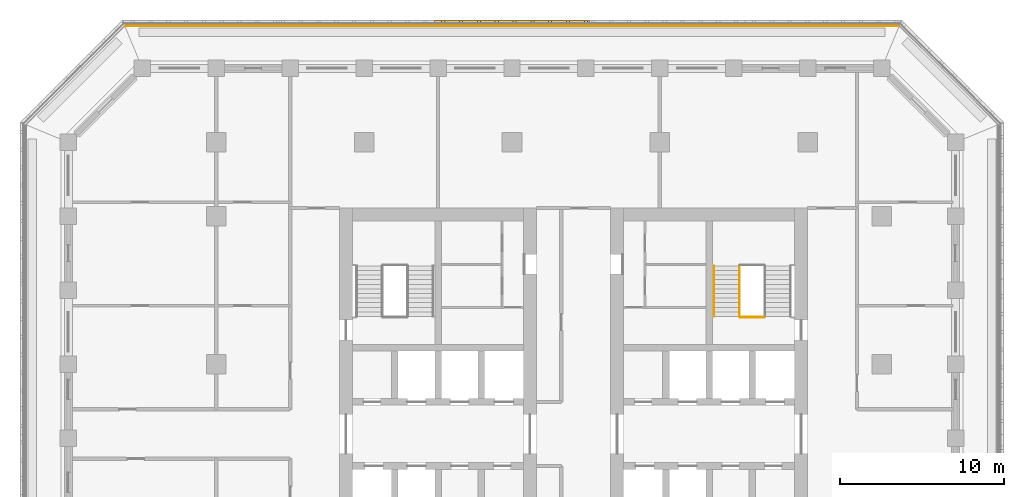
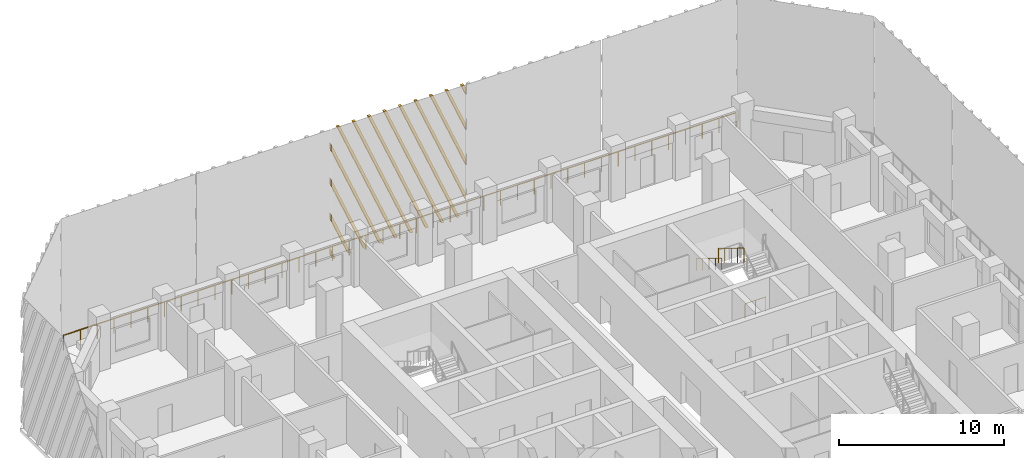
# One storey, part 16 of 18: 4 railings, 1 shading device.
"""IFC4 building model written with IfcOpenShell, lengths in metres."""

import ifcopenshell
import ifcopenshell.guid

model = None  # the IFC model being written
_history = None  # IfcOwnerHistory: only IFC2X3 demands one
_inside = {}  # id of a spatial element -> (the spatial element, [elements in it])
_under = {}  # id of a project, library or spatial element -> (it, [spatial elements below it])
_declared = {}  # id of a project -> (the project, [libraries it declares])
_typed = {}  # id of a type object -> (the type object, [elements of that type])
_made_of = {}  # id of a material, layer set ... -> (it, [elements and type objects made of it])


def new_model(schema):
    """Start an empty IFC model of exactly this schema.

    Asked for "IFC4X3", IfcOpenShell would pick the latest addendum, in which some entities
    have other attributes; the version numbers below select the first issue.
    IFC2X3 requires an IfcOwnerHistory on every rooted entity: one is made here for all.
    """
    global model, _history
    if schema == "IFC4X3":
        model = ifcopenshell.file(schema_version=(4, 3, 0, 0))
    else:
        model = ifcopenshell.file(schema=schema)
    _inside.clear()
    _under.clear()
    _declared.clear()
    _typed.clear()
    _made_of.clear()
    _history = None
    if model.schema == "IFC2X3":
        org = make("IfcOrganization", Name="unknown")
        user = make(
            "IfcPersonAndOrganization",
            ThePerson=make("IfcPerson", FamilyName="unknown"),
            TheOrganization=org,
        )
        app = make(
            "IfcApplication",
            ApplicationDeveloper=org,
            Version="unknown",
            ApplicationFullName="unknown",
            ApplicationIdentifier="unknown",
        )
        _history = make(
            "IfcOwnerHistory",
            OwningUser=user,
            OwningApplication=app,
            ChangeAction="ADDED",
            CreationDate=0,
        )
    return model


def make(cls, **values):
    """One entity of the class cls with the attributes given. An attribute that is None is left unset."""
    return model.create_entity(
        cls, **{name: value for name, value in values.items() if value is not None}
    )


def rooted(cls, **values):
    """An entity with a GlobalId (a new one), such as an element, a storey or a relation."""
    return make(cls, GlobalId=ifcopenshell.guid.new(), OwnerHistory=_history, **values)


def si_unit(unit_type, name, prefix=None):
    """IfcSIUnit, for example si_unit("LENGTHUNIT", "METRE", prefix="MILLI")."""
    return make("IfcSIUnit", UnitType=unit_type, Prefix=prefix, Name=name)


def assignment(units):
    """IfcUnitAssignment: the units of a project."""
    return None if units is None else make("IfcUnitAssignment", Units=units)


def point(xyz):
    """IfcCartesianPoint."""
    return None if xyz is None else make("IfcCartesianPoint", Coordinates=xyz)


def direction(xyz):
    """IfcDirection."""
    return None if xyz is None else make("IfcDirection", DirectionRatios=xyz)


def frame(location, z_axis=None, x_axis=None):
    """IfcAxis2Placement3D, a coordinate frame: its origin and axes. An axis left out is left unset."""
    return make(
        "IfcAxis2Placement3D",
        Location=point(location),
        Axis=direction(z_axis),
        RefDirection=direction(x_axis),
    )


def frame_2d(location, x_axis=None):
    """IfcAxis2Placement2D, a coordinate frame in the plane: its origin and x axis."""
    return make(
        "IfcAxis2Placement2D", Location=point(location), RefDirection=direction(x_axis)
    )


def origin():
    """The frame at (0, 0, 0) with its axes left unset."""
    return frame((0.0, 0.0, 0.0))


def origin_2d():
    """The frame at (0, 0) in the plane with its x axis left unset."""
    return frame_2d((0.0, 0.0))


def place(relative_to, where):
    """IfcLocalPlacement: puts the frame where relative to a parent placement (None: the world)."""
    return make(
        "IfcLocalPlacement", PlacementRelTo=relative_to, RelativePlacement=where
    )


def context(
    kind, dimensions, precision=None, world=None, true_north=None, identifier=None
):
    """IfcGeometricRepresentationContext, for example the 3D "Model" context."""
    return make(
        "IfcGeometricRepresentationContext",
        ContextIdentifier=identifier,
        ContextType=kind,
        CoordinateSpaceDimension=dimensions,
        Precision=precision,
        WorldCoordinateSystem=world,
        TrueNorth=true_north,
    )


def subcontext(parent, identifier, kind, view, scale=None):
    """IfcGeometricRepresentationSubContext, for example "Body" below "Model"."""
    return make(
        "IfcGeometricRepresentationSubContext",
        ContextIdentifier=identifier,
        ContextType=kind,
        ParentContext=parent,
        TargetScale=scale,
        TargetView=view,
    )


def project(units=None, contexts=None):
    """IfcProject with its units and contexts."""
    return rooted(
        "IfcProject",
        Name="project",
        RepresentationContexts=contexts,
        UnitsInContext=assignment(units),
    )


def spatial(cls, under=None, at=None, **own):
    """A site, building, storey or space (cls), placed at a placement, below another one or the project."""
    s = rooted(cls, ObjectPlacement=at, **own)
    if under is not None:
        _under.setdefault(under.id(), (under, []))[1].append(s)
    return s


def polyline(points):
    """IfcPolyline through the points."""
    return make("IfcPolyline", Points=[point(p) for p in points])


def profile(cls, at=None, kind="AREA", **sizes):
    """A parametric profile (cls). Its sizes go by their IFC names, for example OverallWidth=200.0."""
    return make(cls, ProfileType=kind, Position=at, **sizes)


def circle(**sizes):
    """IfcCircleProfileDef."""
    return profile("IfcCircleProfileDef", **sizes)


def outline(outer, holes=None, kind="AREA"):
    """IfcArbitraryClosedProfileDef: a profile drawn as a closed curve; with holes, ...WithVoids."""
    if holes is None:
        return make("IfcArbitraryClosedProfileDef", ProfileType=kind, OuterCurve=outer)
    return make(
        "IfcArbitraryProfileDefWithVoids",
        ProfileType=kind,
        OuterCurve=outer,
        InnerCurves=holes,
    )


def extrude(swept, where, along, depth):
    """IfcExtrudedAreaSolid: the profile swept, set in the frame where, extruded along a direction by depth."""
    return make(
        "IfcExtrudedAreaSolid",
        SweptArea=swept,
        Position=where,
        ExtrudedDirection=direction(along),
        Depth=depth,
    )


def shape(context_of_items, identifier, shape_type, items):
    """IfcShapeRepresentation: the items that make up one representation, for example the "Body"."""
    return make(
        "IfcShapeRepresentation",
        ContextOfItems=context_of_items,
        RepresentationIdentifier=identifier,
        RepresentationType=shape_type,
        Items=items,
    )


def source(mapping_origin, context_of_items, identifier, shape_type, items):
    """IfcRepresentationMap: a shape defined once, which mapped items show again and again."""
    return make(
        "IfcRepresentationMap",
        MappingOrigin=mapping_origin,
        MappedRepresentation=shape(context_of_items, identifier, shape_type, items),
    )


def transform(
    local_origin,
    x_axis=None,
    y_axis=None,
    z_axis=None,
    scale=None,
    scale2=None,
    scale3=None,
    uniform=True,
):
    """IfcCartesianTransformationOperator3D, or its non-uniform kind. x_axis, y_axis, z_axis: its Axis1, 2, 3."""
    if uniform:
        return make(
            "IfcCartesianTransformationOperator3D",
            Axis1=direction(x_axis),
            Axis2=direction(y_axis),
            LocalOrigin=point(local_origin),
            Scale=scale,
            Axis3=direction(z_axis),
        )
    return make(
        "IfcCartesianTransformationOperator3DnonUniform",
        Axis1=direction(x_axis),
        Axis2=direction(y_axis),
        LocalOrigin=point(local_origin),
        Scale=scale,
        Axis3=direction(z_axis),
        Scale2=scale2,
        Scale3=scale3,
    )


def mapped(mapping_source, mapping_target):
    """IfcMappedItem: shows the shape of a source again, moved by a transform."""
    return make(
        "IfcMappedItem", MappingSource=mapping_source, MappingTarget=mapping_target
    )


def material(Name=None, Category=None):
    """IfcMaterial."""
    return make("IfcMaterial", Name=Name, Category=Category)


def made_of(thing, what):
    """Note that an element or type object is made of a material, layer set ...; save() writes the relation."""
    if what is not None:
        _made_of.setdefault(what.id(), (what, []))[1].append(thing)
    return thing


def type_object(cls, material=None, **own):
    """A type object (cls), such as IfcWallType, which elements share."""
    return made_of(rooted(cls, **own), material)


def element(
    cls,
    number,
    at=None,
    inside=None,
    cuts=None,
    type_object=None,
    material=None,
    context=None,
    identifier="Body",
    shape_type=None,
    held_by="IfcProductDefinitionShape",
    body=None,
    shapes=None,
    **own,
):
    """One element of the class cls, such as IfcWall. Its Tag is "e" and its number.

    at: its placement. inside: the storey or other place that contains it. cuts: it is an
    opening in that element (IfcRelVoidsElement). A single representation is given by context,
    identifier, shape_type and body (its items); several are given by shapes. held_by: the class
    of the entity that holds the representations. save() writes the other relations.
    """
    e = rooted(cls, Tag="e%d" % number, ObjectPlacement=at, **own)
    if body is not None:
        shapes = [shape(context, identifier, shape_type, body)]
    if shapes is not None:
        e.Representation = make(held_by, Representations=shapes)
    if inside is not None:
        _inside.setdefault(inside.id(), (inside, []))[1].append(e)
    if cuts is not None:
        rooted(
            "IfcRelVoidsElement", RelatingBuildingElement=cuts, RelatedOpeningElement=e
        )
    if type_object is not None:
        _typed.setdefault(type_object.id(), (type_object, []))[1].append(e)
    return made_of(e, material)


def aggregate(whole, parts):
    """IfcRelAggregates: a whole, such as a stair, and the parts it consists of."""
    return rooted("IfcRelAggregates", RelatingObject=whole, RelatedObjects=parts)


def save(model, path):
    """Write the relations noted so far, then the file.

    IfcRelAggregates (storeys below a building ...), IfcRelContainedInSpatialStructure (elements
    in a storey), IfcRelDefinesByType, IfcRelAssociatesMaterial and IfcRelDeclares: one each for
    every whole, place, type object, material and project.
    """
    for whole, parts in _under.values():
        aggregate(whole, parts)
    for where, things in _inside.values():
        rooted(
            "IfcRelContainedInSpatialStructure",
            RelatedElements=things,
            RelatingStructure=where,
        )
    for kind, things in _typed.values():
        rooted("IfcRelDefinesByType", RelatedObjects=things, RelatingType=kind)
    for what, things in _made_of.values():
        rooted("IfcRelAssociatesMaterial", RelatedObjects=things, RelatingMaterial=what)
    for by, libraries in _declared.values():
        rooted("IfcRelDeclares", RelatingContext=by, RelatedDefinitions=libraries)
    model.write(path)


model = new_model("IFC4")

# Units and contexts
model_context = context("Model", 3, precision=1e-05, world=origin(), true_north=direction((0.0, 1.0)))
body_context = subcontext(model_context, "Body", "Model", "MODEL_VIEW")
ifc_project = project(units=[si_unit("LENGTHUNIT", "METRE"), si_unit("AREAUNIT", "SQUARE_METRE"), si_unit("VOLUMEUNIT", "CUBIC_METRE"), si_unit("PLANEANGLEUNIT", "RADIAN"), si_unit("MASSUNIT", "GRAM", prefix="KILO")], contexts=[model_context])

# Site, building, storey
site_placement = place(None, origin())
site = spatial("IfcSite", under=ifc_project, at=site_placement, CompositionType="ELEMENT")
building_placement = place(site_placement, origin())
building = spatial("IfcBuilding", under=site, at=building_placement, Name="Corbel Stack Research Tower", CompositionType="ELEMENT")
storey_placement = place(building_placement, frame((0.0, 0.0, 181.39990234375)))
storey = spatial("IfcBuildingStorey", under=building, at=storey_placement, Name="L41", CompositionType="ELEMENT", Elevation=181.39990234375)

# Railings
ifc_material_1 = material(Name="Steel S355", Category="steel")
railing_type_1 = type_object("IfcRailingType", Name="Stair guard 1100", PredefinedType="GUARDRAIL", material=ifc_material_1)
railing_1_placement = place(storey_placement, frame((13.85009765625, 14.97998046875, 2.220947265625)))
element("IfcRailing", 1, at=railing_1_placement, inside=storey, type_object=railing_type_1, Name="L41 ST-E2 stair guard 4", PredefinedType="GUARDRAIL", context=body_context, shape_type="SweptSolid", body=[
    extrude(circle(Radius=0.02392578125, at=origin_2d()), frame((0.0, 0.0, 1.076171875), z_axis=(0.0, -0.853666305674, 0.52082035152), x_axis=(1.0, 0.0, 0.0)), (0.0, 0.0, 1.0), 3.608154296875),
    extrude(circle(Radius=0.02099609375, at=origin_2d()), origin(), (0.0, 0.0, 1.0), 1.052001953125),
    extrude(circle(Radius=0.02099609375, at=origin_2d()), frame((0.0, -0.77001953125, 0.4697265625)), (0.0, 0.0, 1.0), 1.052001953125),
    extrude(circle(Radius=0.02099609375, at=origin_2d()), frame((0.0, -1.5400390625, 0.939453125)), (0.0, 0.0, 1.0), 1.052001953125),
    extrude(circle(Radius=0.02099609375, at=origin_2d()), frame((0.0, -2.31005859375, 1.409423828125)), (0.0, 0.0, 1.0), 1.052001953125),
    extrude(circle(Radius=0.02099609375, at=origin_2d()), frame((0.0, -3.080078125, 1.879150390625)), (0.0, 0.0, 1.0), 1.052001953125),
])
railing_2_placement = place(storey_placement, frame((15.35009765625, 11.85009765625, 0.0)))
element("IfcRailing", 2, at=railing_2_placement, inside=storey, type_object=railing_type_1, Name="L41 ST-E2 stair guard 5", PredefinedType="GUARDRAIL", context=body_context, shape_type="SweptSolid", body=[
    extrude(circle(Radius=0.02392578125, at=origin_2d()), frame((0.0, 0.0, 1.076171875), z_axis=(-1.0, 0.0, 0.0), x_axis=(0.0, -1.0, 0.0)), (0.0, 0.0, 1.0), 1.4501953125),
    extrude(circle(Radius=0.02099609375, at=origin_2d()), origin(), (0.0, 0.0, 1.0), 1.052001953125),
    extrude(circle(Radius=0.02099609375, at=origin_2d()), frame((-0.72509765625, 0.0, 0.0)), (0.0, 0.0, 1.0), 1.052001953125),
    extrude(circle(Radius=0.02099609375, at=origin_2d()), frame((-1.4501953125, 0.0, 0.0)), (0.0, 0.0, 1.0), 1.052001953125),
])
ifc_material_2 = material(Name="Steel S355", Category="steel")
railing_type_2 = type_object("IfcRailingType", Name="Stair handrail 900", PredefinedType="HANDRAIL", material=ifc_material_2)
railing_3_placement = place(storey_placement, frame((12.300048828125, 14.97998046875, 2.220947265625)))
element("IfcRailing", 3, at=railing_3_placement, inside=storey, type_object=railing_type_2, Name="L41 ST-E2 stair handrail 2", PredefinedType="HANDRAIL", context=body_context, shape_type="SweptSolid", body=[
    extrude(circle(Radius=0.02392578125, at=origin_2d()), frame((0.0, 0.0, 0.8759765625), z_axis=(0.0, -0.853666305674, 0.52082035152), x_axis=(1.0, 0.0, 0.0)), (0.0, 0.0, 1.0), 3.608154296875),
    extrude(circle(Radius=0.02099609375, at=origin_2d()), origin(), (0.0, 0.0, 1.0), 0.851806640625),
    extrude(circle(Radius=0.02099609375, at=origin_2d()), frame((0.0, -0.77001953125, 0.4697265625)), (0.0, 0.0, 1.0), 0.851806640625),
    extrude(circle(Radius=0.02099609375, at=origin_2d()), frame((0.0, -1.5400390625, 0.939453125)), (0.0, 0.0, 1.0), 0.851806640625),
    extrude(circle(Radius=0.02099609375, at=origin_2d()), frame((0.0, -2.31005859375, 1.409423828125)), (0.0, 0.0, 1.0), 0.851806640625),
    extrude(circle(Radius=0.02099609375, at=origin_2d()), frame((0.0, -3.080078125, 1.879150390625)), (0.0, 0.0, 1.0), 0.851806640625),
])
ifc_material_3 = material(Name="Powder-coated steel guard", Category="steel")
railing_type_3 = type_object("IfcRailingType", Name="Steel and glass guard 1100", PredefinedType="GUARDRAIL", material=ifc_material_3)
railing_4_placement = place(storey_placement, frame((23.50537109375, 29.60009765625, 0.0)))
element("IfcRailing", 4, at=railing_4_placement, inside=storey, type_object=railing_type_3, Name="Loggia guard L41 N", PredefinedType="GUARDRAIL", context=body_context, shape_type="SweptSolid", body=[
    extrude(circle(Radius=0.02392578125, at=origin_2d()), frame((0.0, 0.0, 1.076171875), z_axis=(-1.0, 0.0, 0.0), x_axis=(0.0, -1.0, 0.0)), (0.0, 0.0, 1.0), 47.0107421875),
    extrude(circle(Radius=0.02099609375, at=origin_2d()), origin(), (0.0, 0.0, 1.0), 1.052001953125),
    extrude(circle(Radius=0.02099609375, at=origin_2d()), frame((-1.17529296875, 0.0, 0.0)), (0.0, 0.0, 1.0), 1.052001953125),
    extrude(circle(Radius=0.02099609375, at=origin_2d()), frame((-2.3505859375, 0.0, 0.0)), (0.0, 0.0, 1.0), 1.052001953125),
    extrude(circle(Radius=0.02099609375, at=origin_2d()), frame((-3.52587890625, 0.0, 0.0)), (0.0, 0.0, 1.0), 1.052001953125),
    extrude(circle(Radius=0.02099609375, at=origin_2d()), frame((-4.701171875, 0.0, 0.0)), (0.0, 0.0, 1.0), 1.052001953125),
    extrude(circle(Radius=0.02099609375, at=origin_2d()), frame((-5.87646484375, 0.0, 0.0)), (0.0, 0.0, 1.0), 1.052001953125),
    extrude(circle(Radius=0.02099609375, at=origin_2d()), frame((-7.051513671875, 0.0, 0.0)), (0.0, 0.0, 1.0), 1.052001953125),
    extrude(circle(Radius=0.02099609375, at=origin_2d()), frame((-8.226806640625, 0.0, 0.0)), (0.0, 0.0, 1.0), 1.052001953125),
    extrude(circle(Radius=0.02099609375, at=origin_2d()), frame((-9.402099609375, 0.0, 0.0)), (0.0, 0.0, 1.0), 1.052001953125),
    extrude(circle(Radius=0.02099609375, at=origin_2d()), frame((-10.577392578125, 0.0, 0.0)), (0.0, 0.0, 1.0), 1.052001953125),
    extrude(circle(Radius=0.02099609375, at=origin_2d()), frame((-11.752685546875, 0.0, 0.0)), (0.0, 0.0, 1.0), 1.052001953125),
    extrude(circle(Radius=0.02099609375, at=origin_2d()), frame((-12.927978515625, 0.0, 0.0)), (0.0, 0.0, 1.0), 1.052001953125),
    extrude(circle(Radius=0.02099609375, at=origin_2d()), frame((-14.103271484375, 0.0, 0.0)), (0.0, 0.0, 1.0), 1.052001953125),
    extrude(circle(Radius=0.02099609375, at=origin_2d()), frame((-15.278564453125, 0.0, 0.0)), (0.0, 0.0, 1.0), 1.052001953125),
    extrude(circle(Radius=0.02099609375, at=origin_2d()), frame((-16.453857421875, 0.0, 0.0)), (0.0, 0.0, 1.0), 1.052001953125),
    extrude(circle(Radius=0.02099609375, at=origin_2d()), frame((-17.62890625, 0.0, 0.0)), (0.0, 0.0, 1.0), 1.052001953125),
    extrude(circle(Radius=0.02099609375, at=origin_2d()), frame((-18.80419921875, 0.0, 0.0)), (0.0, 0.0, 1.0), 1.052001953125),
    extrude(circle(Radius=0.02099609375, at=origin_2d()), frame((-19.9794921875, 0.0, 0.0)), (0.0, 0.0, 1.0), 1.052001953125),
    extrude(circle(Radius=0.02099609375, at=origin_2d()), frame((-21.15478515625, 0.0, 0.0)), (0.0, 0.0, 1.0), 1.052001953125),
    extrude(circle(Radius=0.02099609375, at=origin_2d()), frame((-22.330078125, 0.0, 0.0)), (0.0, 0.0, 1.0), 1.052001953125),
    extrude(circle(Radius=0.02099609375, at=origin_2d()), frame((-23.50537109375, 0.0, 0.0)), (0.0, 0.0, 1.0), 1.052001953125),
    extrude(circle(Radius=0.02099609375, at=origin_2d()), frame((-24.6806640625, 0.0, 0.0)), (0.0, 0.0, 1.0), 1.052001953125),
    extrude(circle(Radius=0.02099609375, at=origin_2d()), frame((-25.85595703125, 0.0, 0.0)), (0.0, 0.0, 1.0), 1.052001953125),
    extrude(circle(Radius=0.02099609375, at=origin_2d()), frame((-27.03125, 0.0, 0.0)), (0.0, 0.0, 1.0), 1.052001953125),
    extrude(circle(Radius=0.02099609375, at=origin_2d()), frame((-28.20654296875, 0.0, 0.0)), (0.0, 0.0, 1.0), 1.052001953125),
    extrude(circle(Radius=0.02099609375, at=origin_2d()), frame((-29.3818359375, 0.0, 0.0)), (0.0, 0.0, 1.0), 1.052001953125),
    extrude(circle(Radius=0.02099609375, at=origin_2d()), frame((-30.556884765625, 0.0, 0.0)), (0.0, 0.0, 1.0), 1.052001953125),
    extrude(circle(Radius=0.02099609375, at=origin_2d()), frame((-31.732177734375, 0.0, 0.0)), (0.0, 0.0, 1.0), 1.052001953125),
    extrude(circle(Radius=0.02099609375, at=origin_2d()), frame((-32.907470703125, 0.0, 0.0)), (0.0, 0.0, 1.0), 1.052001953125),
    extrude(circle(Radius=0.02099609375, at=origin_2d()), frame((-34.082763671875, 0.0, 0.0)), (0.0, 0.0, 1.0), 1.052001953125),
    extrude(circle(Radius=0.02099609375, at=origin_2d()), frame((-35.258056640625, 0.0, 0.0)), (0.0, 0.0, 1.0), 1.052001953125),
    extrude(circle(Radius=0.02099609375, at=origin_2d()), frame((-36.433349609375, 0.0, 0.0)), (0.0, 0.0, 1.0), 1.052001953125),
    extrude(circle(Radius=0.02099609375, at=origin_2d()), frame((-37.608642578125, 0.0, 0.0)), (0.0, 0.0, 1.0), 1.052001953125),
    extrude(circle(Radius=0.02099609375, at=origin_2d()), frame((-38.783935546875, 0.0, 0.0)), (0.0, 0.0, 1.0), 1.052001953125),
    extrude(circle(Radius=0.02099609375, at=origin_2d()), frame((-39.959228515625, 0.0, 0.0)), (0.0, 0.0, 1.0), 1.052001953125),
    extrude(circle(Radius=0.02099609375, at=origin_2d()), frame((-41.13427734375, 0.0, 0.0)), (0.0, 0.0, 1.0), 1.052001953125),
    extrude(circle(Radius=0.02099609375, at=origin_2d()), frame((-42.3095703125, 0.0, 0.0)), (0.0, 0.0, 1.0), 1.052001953125),
    extrude(circle(Radius=0.02099609375, at=origin_2d()), frame((-43.48486328125, 0.0, 0.0)), (0.0, 0.0, 1.0), 1.052001953125),
    extrude(circle(Radius=0.02099609375, at=origin_2d()), frame((-44.66015625, 0.0, 0.0)), (0.0, 0.0, 1.0), 1.052001953125),
    extrude(circle(Radius=0.02099609375, at=origin_2d()), frame((-45.83544921875, 0.0, 0.0)), (0.0, 0.0, 1.0), 1.052001953125),
    extrude(circle(Radius=0.02099609375, at=origin_2d()), frame((-47.0107421875, 0.0, 0.0)), (0.0, 0.0, 1.0), 1.052001953125),
])

# Shading device
ifc_material_4 = material(Name="Precast terracotta", Category="masonry")
shading_device_type = type_object("IfcShadingDeviceType", Name="Terracotta screen panel", PredefinedType="USERDEFINED", material=ifc_material_4)
shared_shape = source(origin(), body_context, "Body", "SweptSolid", [
    extrude(outline(polyline([(0.328857421875, 9.64990234375), (0.138916015625, 9.64990234375), (0.0, 9.317626953125), (0.0, 8.862548828125), (0.328857421875, 9.64990234375)])), frame((0.0, 0.0, 0.0), z_axis=(0.0, -1.0, 0.0), x_axis=(1.0, 0.0, 0.0)), (0.0, 0.0, 1.0), 0.179931640625),
    extrude(outline(polyline([(1.41357421875, 9.64990234375), (1.223388671875, 9.64990234375), (0.0, 6.720458984375), (0.0, 6.265380859375), (1.41357421875, 9.64990234375)])), frame((0.0, 0.0, 0.0), z_axis=(0.0, -1.0, 0.0), x_axis=(1.0, 0.0, 0.0)), (0.0, 0.0, 1.0), 0.179931640625),
    extrude(outline(polyline([(2.498291015625, 9.64990234375), (2.30810546875, 9.64990234375), (0.0, 4.123291015625), (0.0, 3.668212890625), (2.498291015625, 9.64990234375)])), frame((0.0, 0.0, 0.0), z_axis=(0.0, -1.0, 0.0), x_axis=(1.0, 0.0, 0.0)), (0.0, 0.0, 1.0), 0.179931640625),
    extrude(outline(polyline([(3.582763671875, 9.64990234375), (3.392822265625, 9.64990234375), (0.0, 1.526123046875), (0.0, 1.071044921875), (3.582763671875, 9.64990234375)])), frame((0.0, 0.0, 0.0), z_axis=(0.0, -1.0, 0.0), x_axis=(1.0, 0.0, 0.0)), (0.0, 0.0, 1.0), 0.179931640625),
    extrude(outline(polyline([(0.63720703125, 0.0), (4.66748046875, 9.64990234375), (4.4775390625, 9.64990234375), (0.447265625, 0.0), (0.63720703125, 0.0)])), frame((0.0, 0.0, 0.0), z_axis=(0.0, -1.0, 0.0), x_axis=(1.0, 0.0, 0.0)), (0.0, 0.0, 1.0), 0.179931640625),
    extrude(outline(polyline([(1.721923828125, 0.0), (5.752197265625, 9.64990234375), (5.562255859375, 9.64990234375), (1.531982421875, 0.0), (1.721923828125, 0.0)])), frame((0.0, 0.0, 0.0), z_axis=(0.0, -1.0, 0.0), x_axis=(1.0, 0.0, 0.0)), (0.0, 0.0, 1.0), 0.179931640625),
    extrude(outline(polyline([(2.806640625, 0.0), (6.8369140625, 9.64990234375), (6.646728515625, 9.64990234375), (2.61669921875, 0.0), (2.806640625, 0.0)])), frame((0.0, 0.0, 0.0), z_axis=(0.0, -1.0, 0.0), x_axis=(1.0, 0.0, 0.0)), (0.0, 0.0, 1.0), 0.179931640625),
    extrude(outline(polyline([(3.891357421875, 0.0), (7.92138671875, 9.64990234375), (7.7314453125, 9.64990234375), (3.701416015625, 0.0), (3.891357421875, 0.0)])), frame((0.0, 0.0, 0.0), z_axis=(0.0, -1.0, 0.0), x_axis=(1.0, 0.0, 0.0)), (0.0, 0.0, 1.0), 0.179931640625),
    extrude(outline(polyline([(4.97607421875, 0.0), (9.006103515625, 9.64990234375), (8.816162109375, 9.64990234375), (4.785888671875, 0.0), (4.97607421875, 0.0)])), frame((0.0, 0.0, 0.0), z_axis=(0.0, -1.0, 0.0), x_axis=(1.0, 0.0, 0.0)), (0.0, 0.0, 1.0), 0.179931640625),
    extrude(outline(polyline([(6.060791015625, 0.0), (9.45556640625, 8.129150390625), (9.45556640625, 8.583984375), (5.87060546875, 0.0), (6.060791015625, 0.0)])), frame((0.0, 0.0, 0.0), z_axis=(0.0, -1.0, 0.0), x_axis=(1.0, 0.0, 0.0)), (0.0, 0.0, 1.0), 0.179931640625),
    extrude(outline(polyline([(7.145263671875, 0.0), (9.45556640625, 5.531982421875), (9.45556640625, 5.98681640625), (6.955322265625, 0.0), (7.145263671875, 0.0)])), frame((0.0, 0.0, 0.0), z_axis=(0.0, -1.0, 0.0), x_axis=(1.0, 0.0, 0.0)), (0.0, 0.0, 1.0), 0.179931640625),
    extrude(outline(polyline([(8.22998046875, 0.0), (9.45556640625, 2.934814453125), (9.45556640625, 3.3896484375), (8.0400390625, 0.0), (8.22998046875, 0.0)])), frame((0.0, 0.0, 0.0), z_axis=(0.0, -1.0, 0.0), x_axis=(1.0, 0.0, 0.0)), (0.0, 0.0, 1.0), 0.179931640625),
    extrude(outline(polyline([(9.314697265625, 0.0), (9.45556640625, 0.337646484375), (9.45556640625, 0.79248046875), (9.124755859375, 0.0), (9.314697265625, 0.0)])), frame((0.0, 0.0, 0.0), z_axis=(0.0, -1.0, 0.0), x_axis=(1.0, 0.0, 0.0)), (0.0, 0.0, 1.0), 0.179931640625),
])
shading_device_placement = place(storey_placement, frame((4.727783203125, 29.75, 0.0), z_axis=(0.0, 0.0, 1.0), x_axis=(-1.0, 0.0, 0.0)))
element("IfcShadingDevice", 5, at=shading_device_placement, inside=storey, type_object=shading_device_type, Name="Terracotta screen L41 N3", ObjectType="SCREEN", PredefinedType="USERDEFINED", context=body_context, shape_type="MappedRepresentation", body=[
    mapped(shared_shape, transform((0.0, 0.0, 0.0))),
])

save(model, "model.ifc")
